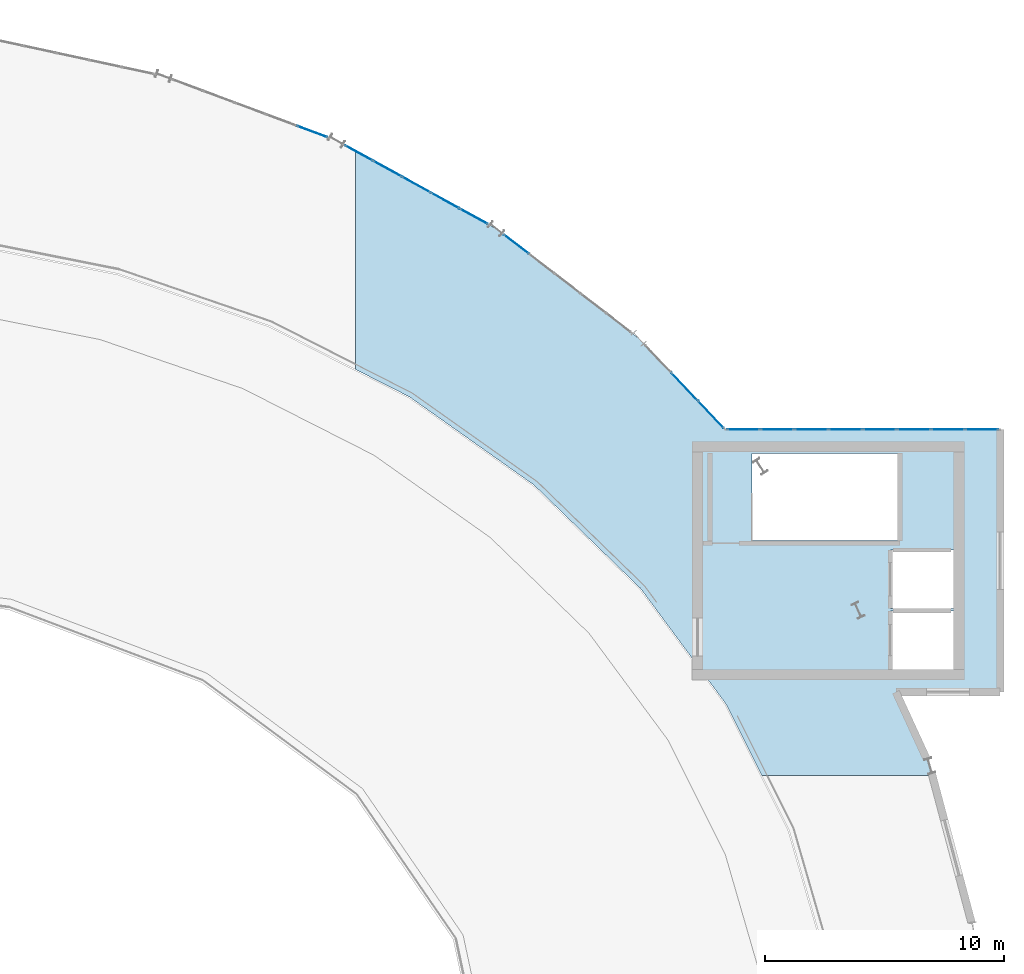
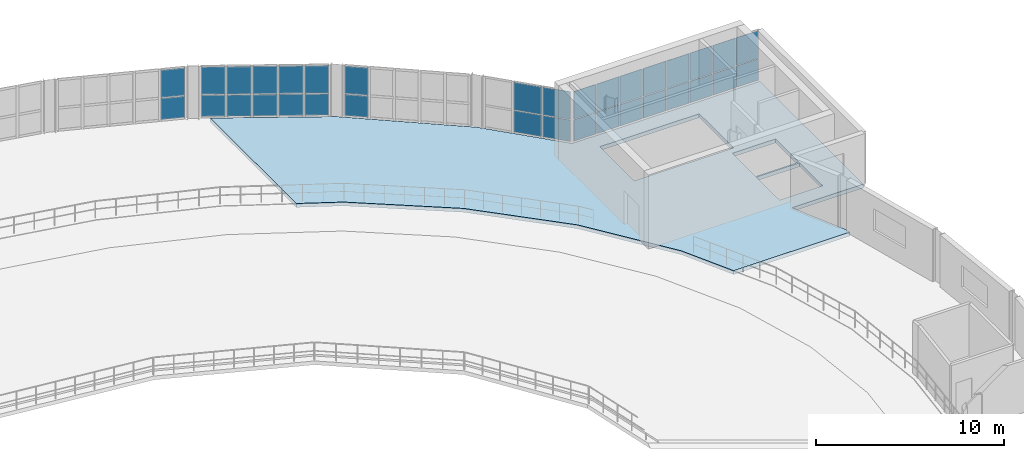
# One storey, part 30 of 40: 34 plates, 1 slab, 5 elements without a shape of their own.
"""IFC4 building model written with IfcOpenShell, lengths in metres."""

from ifc_helpers import new_model, si_unit, direction, frame, origin, origin_2d, place, context, subcontext, project, spatial, polyline, rectangle, outline, extrude, material, layer, layer_set, type_object, element, aggregate, save


model = new_model("IFC4")

# Units and contexts
model_context = context("Model", 3, precision=1e-05, world=origin(), true_north=direction((0.0, 1.0)))
body_context = subcontext(model_context, "Body", "Model", "MODEL_VIEW")
ifc_project = project(units=[si_unit("LENGTHUNIT", "METRE"), si_unit("AREAUNIT", "SQUARE_METRE"), si_unit("VOLUMEUNIT", "CUBIC_METRE"), si_unit("PLANEANGLEUNIT", "RADIAN"), si_unit("MASSUNIT", "GRAM", prefix="KILO")], contexts=[model_context])

# Site, building, storey
site_placement = place(None, origin())
site = spatial("IfcSite", under=ifc_project, at=site_placement, CompositionType="ELEMENT")
building_placement = place(site_placement, origin())
building = spatial("IfcBuilding", under=site, at=building_placement, Name="Glasvene Arena", CompositionType="ELEMENT")
storey_placement = place(building_placement, frame((0.0, 0.0, 24.0)))
storey = spatial("IfcBuildingStorey", under=building, at=storey_placement, Name="L05", CompositionType="ELEMENT", Elevation=24.0)

# Curtain wall, plates
ifc_material_1 = material(Name="Low-emissivity laminated double glazing", Category="glass")
curtain_wall_type_1 = type_object("IfcCurtainWallType", Name="CW-FAC-L05-700x332", PredefinedType="USERDEFINED", material=ifc_material_1)
curtain_wall_1_placement = place(storey_placement, frame((107.794677734375, 115.669189453125, 0.0)))
curtain_wall_1 = element("IfcCurtainWall", 1, at=curtain_wall_1_placement, inside=storey, type_object=curtain_wall_type_1, Name="Unitised curtain wall CW-F-L05-150-1111-1144-21", ObjectType="CURTAIN WALL", PredefinedType="USERDEFINED")
ifc_layer_1 = layer(ifc_material_1, 0.028076171875)
ifc_layer_set_1 = layer_set([ifc_layer_1], Name="Low-emissivity laminated double glazing")
plate_type = type_object("IfcPlateType", Name="CW-GLZ-28", PredefinedType="CURTAIN_PANEL", material=ifc_layer_set_1)
plate_1_placement = place(storey_placement, frame((113.684326171875, 113.473876953125, 0.10986328125), z_axis=(0.0, 0.0, 1.0), x_axis=(0.937012154818, -0.349296753096, 0.0)))
plate_1 = element("IfcPlate", 2, at=plate_1_placement, type_object=plate_type, Name="CW-063 panel 5.1", PredefinedType="CURTAIN_PANEL", context=body_context, shape_type="SweptSolid", body=[
    extrude(rectangle(XDim=1.324462890625, YDim=0.028076171875, at=origin_2d()), origin(), (0.0, 0.0, 1.0), 1.385986328125),
])
plate_2_placement = place(storey_placement, frame((113.684326171875, 113.473876953125, 1.5458984375), z_axis=(0.0, 0.0, 1.0), x_axis=(0.937012154818, -0.349296753096, 0.0)))
plate_2 = element("IfcPlate", 3, at=plate_2_placement, type_object=plate_type, Name="CW-063 panel 5.2", PredefinedType="CURTAIN_PANEL", context=body_context, shape_type="SweptSolid", body=[
    extrude(rectangle(XDim=1.324462890625, YDim=0.028076171875, at=origin_2d()), origin(), (0.0, 0.0, 1.0), 1.783935546875),
])
aggregate(curtain_wall_1, [plate_1, plate_2])

curtain_wall_type_2 = type_object("IfcCurtainWallType", Name="CW-FAC-L05-690x332", PredefinedType="USERDEFINED", material=ifc_material_1)
curtain_wall_2_placement = place(storey_placement, frame((115.02099609375, 112.918212890625, 0.0)))
curtain_wall_2 = element("IfcCurtainWall", 4, at=curtain_wall_2_placement, inside=storey, type_object=curtain_wall_type_2, Name="Unitised curtain wall CW-F-L05-150-1180-1113-22", ObjectType="CURTAIN WALL", PredefinedType="USERDEFINED")
plate_3_placement = place(storey_placement, frame((115.635986328125, 112.578857421875, 0.10986328125), z_axis=(0.0, 0.0, 1.0), x_axis=(0.875654185248, -0.482938658483, 0.0)))
plate_3 = element("IfcPlate", 5, at=plate_3_placement, type_object=plate_type, Name="CW-062 panel 1.1", PredefinedType="CURTAIN_PANEL", context=body_context, shape_type="SweptSolid", body=[
    extrude(rectangle(XDim=1.30517578125, YDim=0.028076171875, at=origin_2d()), origin(), (0.0, 0.0, 1.0), 1.385986328125),
])
plate_4_placement = place(storey_placement, frame((115.635986328125, 112.578857421875, 1.5458984375), z_axis=(0.0, 0.0, 1.0), x_axis=(0.875654185248, -0.482938658483, 0.0)))
plate_4 = element("IfcPlate", 6, at=plate_4_placement, type_object=plate_type, Name="CW-062 panel 1.2", PredefinedType="CURTAIN_PANEL", context=body_context, shape_type="SweptSolid", body=[
    extrude(rectangle(XDim=1.30517578125, YDim=0.028076171875, at=origin_2d()), origin(), (0.0, 0.0, 1.0), 1.783935546875),
])
plate_5_placement = place(storey_placement, frame((116.833740234375, 111.918212890625, 0.10986328125), z_axis=(0.0, 0.0, 1.0), x_axis=(0.875654185248, -0.482938658483, 0.0)))
plate_5 = element("IfcPlate", 7, at=plate_5_placement, type_object=plate_type, Name="CW-062 panel 2.1", PredefinedType="CURTAIN_PANEL", context=body_context, shape_type="SweptSolid", body=[
    extrude(rectangle(XDim=1.330078125, YDim=0.028076171875, at=origin_2d()), origin(), (0.0, 0.0, 1.0), 1.385986328125),
])
plate_6_placement = place(storey_placement, frame((116.833740234375, 111.918212890625, 1.5458984375), z_axis=(0.0, 0.0, 1.0), x_axis=(0.875654185248, -0.482938658483, 0.0)))
plate_6 = element("IfcPlate", 8, at=plate_6_placement, type_object=plate_type, Name="CW-062 panel 2.2", PredefinedType="CURTAIN_PANEL", context=body_context, shape_type="SweptSolid", body=[
    extrude(rectangle(XDim=1.330078125, YDim=0.028076171875, at=origin_2d()), origin(), (0.0, 0.0, 1.0), 1.783935546875),
])
plate_7_placement = place(storey_placement, frame((118.042236328125, 111.251708984375, 0.10986328125), z_axis=(0.0, 0.0, 1.0), x_axis=(0.875654185248, -0.482938658483, 0.0)))
plate_7 = element("IfcPlate", 9, at=plate_7_placement, type_object=plate_type, Name="CW-062 panel 3.1", PredefinedType="CURTAIN_PANEL", context=body_context, shape_type="SweptSolid", body=[
    extrude(rectangle(XDim=1.330078125, YDim=0.028076171875, at=origin_2d()), origin(), (0.0, 0.0, 1.0), 1.385986328125),
])
plate_8_placement = place(storey_placement, frame((118.042236328125, 111.251708984375, 1.5458984375), z_axis=(0.0, 0.0, 1.0), x_axis=(0.875654185248, -0.482938658483, 0.0)))
plate_8 = element("IfcPlate", 10, at=plate_8_placement, type_object=plate_type, Name="CW-062 panel 3.2", PredefinedType="CURTAIN_PANEL", context=body_context, shape_type="SweptSolid", body=[
    extrude(rectangle(XDim=1.330078125, YDim=0.028076171875, at=origin_2d()), origin(), (0.0, 0.0, 1.0), 1.783935546875),
])
plate_9_placement = place(storey_placement, frame((119.250732421875, 110.585205078125, 0.10986328125), z_axis=(0.0, 0.0, 1.0), x_axis=(0.875654185248, -0.482938658483, 0.0)))
plate_9 = element("IfcPlate", 11, at=plate_9_placement, type_object=plate_type, Name="CW-062 panel 4.1", PredefinedType="CURTAIN_PANEL", context=body_context, shape_type="SweptSolid", body=[
    extrude(rectangle(XDim=1.330078125, YDim=0.028076171875, at=origin_2d()), origin(), (0.0, 0.0, 1.0), 1.385986328125),
])
plate_10_placement = place(storey_placement, frame((119.250732421875, 110.585205078125, 1.5458984375), z_axis=(0.0, 0.0, 1.0), x_axis=(0.875654185248, -0.482938658483, 0.0)))
plate_10 = element("IfcPlate", 12, at=plate_10_placement, type_object=plate_type, Name="CW-062 panel 4.2", PredefinedType="CURTAIN_PANEL", context=body_context, shape_type="SweptSolid", body=[
    extrude(rectangle(XDim=1.330078125, YDim=0.028076171875, at=origin_2d()), origin(), (0.0, 0.0, 1.0), 1.783935546875),
])
plate_11_placement = place(storey_placement, frame((120.4482421875, 109.9248046875, 0.10986328125), z_axis=(0.0, 0.0, 1.0), x_axis=(0.875654185248, -0.482938658483, 0.0)))
plate_11 = element("IfcPlate", 13, at=plate_11_placement, type_object=plate_type, Name="CW-062 panel 5.1", PredefinedType="CURTAIN_PANEL", context=body_context, shape_type="SweptSolid", body=[
    extrude(rectangle(XDim=1.30517578125, YDim=0.028076171875, at=origin_2d()), origin(), (0.0, 0.0, 1.0), 1.385986328125),
])
plate_12_placement = place(storey_placement, frame((120.4482421875, 109.9248046875, 1.5458984375), z_axis=(0.0, 0.0, 1.0), x_axis=(0.875654185248, -0.482938658483, 0.0)))
plate_12 = element("IfcPlate", 14, at=plate_12_placement, type_object=plate_type, Name="CW-062 panel 5.2", PredefinedType="CURTAIN_PANEL", context=body_context, shape_type="SweptSolid", body=[
    extrude(rectangle(XDim=1.30517578125, YDim=0.028076171875, at=origin_2d()), origin(), (0.0, 0.0, 1.0), 1.783935546875),
])
aggregate(curtain_wall_2, [plate_3, plate_4, plate_5, plate_6, plate_7, plate_8, plate_9, plate_10, plate_11, plate_12])

curtain_wall_type_3 = type_object("IfcCurtainWallType", Name="CW-FAC-L05-679x332", PredefinedType="USERDEFINED", material=ifc_material_1)
curtain_wall_3_placement = place(storey_placement, frame((121.680419921875, 109.18212890625, 0.0)))
curtain_wall_3 = element("IfcCurtainWall", 15, at=curtain_wall_3_placement, inside=storey, type_object=curtain_wall_type_3, Name="Unitised curtain wall CW-F-L05-150-1244-1071-23", ObjectType="CURTAIN WALL", PredefinedType="USERDEFINED")
plate_13_placement = place(storey_placement, frame((122.228271484375, 108.760986328125, 0.10986328125), z_axis=(0.0, 0.0, 1.0), x_axis=(0.792839799008, -0.609430105187, 0.0)))
plate_13 = element("IfcPlate", 16, at=plate_13_placement, type_object=plate_type, Name="CW-061 panel 1.1", PredefinedType="CURTAIN_PANEL", context=body_context, shape_type="SweptSolid", body=[
    extrude(rectangle(XDim=1.281982421875, YDim=0.028076171875, at=origin_2d()), origin(), (0.0, 0.0, 1.0), 1.385986328125),
])
plate_14_placement = place(storey_placement, frame((122.228271484375, 108.760986328125, 1.5458984375), z_axis=(0.0, 0.0, 1.0), x_axis=(0.792839799008, -0.609430105187, 0.0)))
plate_14 = element("IfcPlate", 17, at=plate_14_placement, type_object=plate_type, Name="CW-061 panel 1.2", PredefinedType="CURTAIN_PANEL", context=body_context, shape_type="SweptSolid", body=[
    extrude(rectangle(XDim=1.281982421875, YDim=0.028076171875, at=origin_2d()), origin(), (0.0, 0.0, 1.0), 1.783935546875),
])
aggregate(curtain_wall_3, [plate_13, plate_14])

curtain_wall_type_4 = type_object("IfcCurtainWallType", Name="CW-FAC-L05-486x332", PredefinedType="USERDEFINED", material=ifc_material_1)
curtain_wall_4_placement = place(storey_placement, frame((127.60791015625, 104.553466796875, 0.0)))
curtain_wall_4 = element("IfcCurtainWall", 18, at=curtain_wall_4_placement, inside=storey, type_object=curtain_wall_type_4, Name="Unitised curtain wall CW-F-L05-150-1293-1028-24", ObjectType="CURTAIN WALL", PredefinedType="USERDEFINED")
plate_15_placement = place(storey_placement, frame((129.2802734375, 102.791259765625, 0.10986328125), z_axis=(0.0, 0.0, 1.0), x_axis=(0.688362630685, -0.725366727026, 0.0)))
plate_15 = element("IfcPlate", 19, at=plate_15_placement, type_object=plate_type, Name="CW-060 panel 2.1", PredefinedType="CURTAIN_PANEL", context=body_context, shape_type="SweptSolid", body=[
    extrude(rectangle(XDim=1.569580078125, YDim=0.028076171875, at=origin_2d()), origin(), (0.0, 0.0, 1.0), 1.385986328125),
])
plate_16_placement = place(storey_placement, frame((129.2802734375, 102.791259765625, 1.5458984375), z_axis=(0.0, 0.0, 1.0), x_axis=(0.688362630685, -0.725366727026, 0.0)))
plate_16 = element("IfcPlate", 20, at=plate_16_placement, type_object=plate_type, Name="CW-060 panel 2.2", PredefinedType="CURTAIN_PANEL", context=body_context, shape_type="SweptSolid", body=[
    extrude(rectangle(XDim=1.569580078125, YDim=0.028076171875, at=origin_2d()), origin(), (0.0, 0.0, 1.0), 1.783935546875),
])
plate_17_placement = place(storey_placement, frame((130.38671875, 101.62548828125, 0.10986328125), z_axis=(0.0, 0.0, 1.0), x_axis=(0.688362630685, -0.725366727026, 0.0)))
plate_17 = element("IfcPlate", 21, at=plate_17_placement, type_object=plate_type, Name="CW-060 panel 3.1", PredefinedType="CURTAIN_PANEL", context=body_context, shape_type="SweptSolid", body=[
    extrude(rectangle(XDim=1.544677734375, YDim=0.028076171875, at=origin_2d()), origin(), (0.0, 0.0, 1.0), 1.385986328125),
])
plate_18_placement = place(storey_placement, frame((130.38671875, 101.62548828125, 1.5458984375), z_axis=(0.0, 0.0, 1.0), x_axis=(0.688362630685, -0.725366727026, 0.0)))
plate_18 = element("IfcPlate", 22, at=plate_18_placement, type_object=plate_type, Name="CW-060 panel 3.2", PredefinedType="CURTAIN_PANEL", context=body_context, shape_type="SweptSolid", body=[
    extrude(rectangle(XDim=1.544677734375, YDim=0.028076171875, at=origin_2d()), origin(), (0.0, 0.0, 1.0), 1.783935546875),
])
aggregate(curtain_wall_4, [plate_15, plate_16, plate_17, plate_18])

curtain_wall_type_5 = type_object("IfcCurtainWallType", Name="CW-FAC-L05-1144x332", PredefinedType="USERDEFINED", material=ifc_material_1)
curtain_wall_5_placement = place(storey_placement, frame((131.020263671875, 101.0, 0.0)))
curtain_wall_5 = element("IfcCurtainWall", 23, at=curtain_wall_5_placement, inside=storey, type_object=curtain_wall_type_5, Name="Unitised curtain wall CW-F-L05-150-1367-1010-25", ObjectType="CURTAIN WALL", PredefinedType="USERDEFINED")
plate_19_placement = place(storey_placement, frame((131.747802734375, 101.0, 0.10986328125), z_axis=(0.0, 0.0, 1.0), x_axis=(1.0, 0.0, 0.0)))
plate_19 = element("IfcPlate", 24, at=plate_19_placement, type_object=plate_type, Name="CW-066 panel 1.1", PredefinedType="CURTAIN_PANEL", context=body_context, shape_type="SweptSolid", body=[
    extrude(rectangle(XDim=1.35498046875, YDim=0.028076171875, at=origin_2d()), origin(), (0.0, 0.0, 1.0), 1.385986328125),
])
plate_20_placement = place(storey_placement, frame((131.747802734375, 101.0, 1.5458984375), z_axis=(0.0, 0.0, 1.0), x_axis=(1.0, 0.0, 0.0)))
plate_20 = element("IfcPlate", 25, at=plate_20_placement, type_object=plate_type, Name="CW-066 panel 1.2", PredefinedType="CURTAIN_PANEL", context=body_context, shape_type="SweptSolid", body=[
    extrude(rectangle(XDim=1.35498046875, YDim=0.028076171875, at=origin_2d()), origin(), (0.0, 0.0, 1.0), 1.783935546875),
])
plate_21_placement = place(storey_placement, frame((133.165283203125, 101.0, 0.10986328125), z_axis=(0.0, 0.0, 1.0), x_axis=(1.0, 0.0, 0.0)))
plate_21 = element("IfcPlate", 26, at=plate_21_placement, type_object=plate_type, Name="CW-066 panel 2.1", PredefinedType="CURTAIN_PANEL", context=body_context, shape_type="SweptSolid", body=[
    extrude(rectangle(XDim=1.3798828125, YDim=0.028076171875, at=origin_2d()), origin(), (0.0, 0.0, 1.0), 1.385986328125),
])
plate_22_placement = place(storey_placement, frame((133.165283203125, 101.0, 1.5458984375), z_axis=(0.0, 0.0, 1.0), x_axis=(1.0, 0.0, 0.0)))
plate_22 = element("IfcPlate", 27, at=plate_22_placement, type_object=plate_type, Name="CW-066 panel 2.2", PredefinedType="CURTAIN_PANEL", context=body_context, shape_type="SweptSolid", body=[
    extrude(rectangle(XDim=1.3798828125, YDim=0.028076171875, at=origin_2d()), origin(), (0.0, 0.0, 1.0), 1.783935546875),
])
plate_23_placement = place(storey_placement, frame((134.59521484375, 101.0, 0.10986328125), z_axis=(0.0, 0.0, 1.0), x_axis=(1.0, 0.0, 0.0)))
plate_23 = element("IfcPlate", 28, at=plate_23_placement, type_object=plate_type, Name="CW-066 panel 3.1", PredefinedType="CURTAIN_PANEL", context=body_context, shape_type="SweptSolid", body=[
    extrude(rectangle(XDim=1.3798828125, YDim=0.028076171875, at=origin_2d()), origin(), (0.0, 0.0, 1.0), 1.385986328125),
])
plate_24_placement = place(storey_placement, frame((134.59521484375, 101.0, 1.5458984375), z_axis=(0.0, 0.0, 1.0), x_axis=(1.0, 0.0, 0.0)))
plate_24 = element("IfcPlate", 29, at=plate_24_placement, type_object=plate_type, Name="CW-066 panel 3.2", PredefinedType="CURTAIN_PANEL", context=body_context, shape_type="SweptSolid", body=[
    extrude(rectangle(XDim=1.3798828125, YDim=0.028076171875, at=origin_2d()), origin(), (0.0, 0.0, 1.0), 1.783935546875),
])
plate_25_placement = place(storey_placement, frame((136.025146484375, 101.0, 0.10986328125), z_axis=(0.0, 0.0, 1.0), x_axis=(1.0, 0.0, 0.0)))
plate_25 = element("IfcPlate", 30, at=plate_25_placement, type_object=plate_type, Name="CW-066 panel 4.1", PredefinedType="CURTAIN_PANEL", context=body_context, shape_type="SweptSolid", body=[
    extrude(rectangle(XDim=1.3798828125, YDim=0.028076171875, at=origin_2d()), origin(), (0.0, 0.0, 1.0), 1.385986328125),
])
plate_26_placement = place(storey_placement, frame((136.025146484375, 101.0, 1.5458984375), z_axis=(0.0, 0.0, 1.0), x_axis=(1.0, 0.0, 0.0)))
plate_26 = element("IfcPlate", 31, at=plate_26_placement, type_object=plate_type, Name="CW-066 panel 4.2", PredefinedType="CURTAIN_PANEL", context=body_context, shape_type="SweptSolid", body=[
    extrude(rectangle(XDim=1.3798828125, YDim=0.028076171875, at=origin_2d()), origin(), (0.0, 0.0, 1.0), 1.783935546875),
])
plate_27_placement = place(storey_placement, frame((137.455078125, 101.0, 0.10986328125), z_axis=(0.0, 0.0, 1.0), x_axis=(1.0, 0.0, 0.0)))
plate_27 = element("IfcPlate", 32, at=plate_27_placement, type_object=plate_type, Name="CW-066 panel 5.1", PredefinedType="CURTAIN_PANEL", context=body_context, shape_type="SweptSolid", body=[
    extrude(rectangle(XDim=1.3798828125, YDim=0.028076171875, at=origin_2d()), origin(), (0.0, 0.0, 1.0), 1.385986328125),
])
plate_28_placement = place(storey_placement, frame((137.455078125, 101.0, 1.5458984375), z_axis=(0.0, 0.0, 1.0), x_axis=(1.0, 0.0, 0.0)))
plate_28 = element("IfcPlate", 33, at=plate_28_placement, type_object=plate_type, Name="CW-066 panel 5.2", PredefinedType="CURTAIN_PANEL", context=body_context, shape_type="SweptSolid", body=[
    extrude(rectangle(XDim=1.3798828125, YDim=0.028076171875, at=origin_2d()), origin(), (0.0, 0.0, 1.0), 1.783935546875),
])
plate_29_placement = place(storey_placement, frame((138.885009765625, 101.0, 0.10986328125), z_axis=(0.0, 0.0, 1.0), x_axis=(1.0, 0.0, 0.0)))
plate_29 = element("IfcPlate", 34, at=plate_29_placement, type_object=plate_type, Name="CW-066 panel 6.1", PredefinedType="CURTAIN_PANEL", context=body_context, shape_type="SweptSolid", body=[
    extrude(rectangle(XDim=1.3798828125, YDim=0.028076171875, at=origin_2d()), origin(), (0.0, 0.0, 1.0), 1.385986328125),
])
plate_30_placement = place(storey_placement, frame((138.885009765625, 101.0, 1.5458984375), z_axis=(0.0, 0.0, 1.0), x_axis=(1.0, 0.0, 0.0)))
plate_30 = element("IfcPlate", 35, at=plate_30_placement, type_object=plate_type, Name="CW-066 panel 6.2", PredefinedType="CURTAIN_PANEL", context=body_context, shape_type="SweptSolid", body=[
    extrude(rectangle(XDim=1.3798828125, YDim=0.028076171875, at=origin_2d()), origin(), (0.0, 0.0, 1.0), 1.783935546875),
])
plate_31_placement = place(storey_placement, frame((140.31494140625, 101.0, 0.10986328125), z_axis=(0.0, 0.0, 1.0), x_axis=(1.0, 0.0, 0.0)))
plate_31 = element("IfcPlate", 36, at=plate_31_placement, type_object=plate_type, Name="CW-066 panel 7.1", PredefinedType="CURTAIN_PANEL", context=body_context, shape_type="SweptSolid", body=[
    extrude(rectangle(XDim=1.3798828125, YDim=0.028076171875, at=origin_2d()), origin(), (0.0, 0.0, 1.0), 1.385986328125),
])
plate_32_placement = place(storey_placement, frame((140.31494140625, 101.0, 1.5458984375), z_axis=(0.0, 0.0, 1.0), x_axis=(1.0, 0.0, 0.0)))
plate_32 = element("IfcPlate", 37, at=plate_32_placement, type_object=plate_type, Name="CW-066 panel 7.2", PredefinedType="CURTAIN_PANEL", context=body_context, shape_type="SweptSolid", body=[
    extrude(rectangle(XDim=1.3798828125, YDim=0.028076171875, at=origin_2d()), origin(), (0.0, 0.0, 1.0), 1.783935546875),
])
plate_33_placement = place(storey_placement, frame((141.732421875, 101.0, 0.10986328125), z_axis=(0.0, 0.0, 1.0), x_axis=(1.0, 0.0, 0.0)))
plate_33 = element("IfcPlate", 38, at=plate_33_placement, type_object=plate_type, Name="CW-066 panel 8.1", PredefinedType="CURTAIN_PANEL", context=body_context, shape_type="SweptSolid", body=[
    extrude(rectangle(XDim=1.35498046875, YDim=0.028076171875, at=origin_2d()), origin(), (0.0, 0.0, 1.0), 1.385986328125),
])
plate_34_placement = place(storey_placement, frame((141.732421875, 101.0, 1.5458984375), z_axis=(0.0, 0.0, 1.0), x_axis=(1.0, 0.0, 0.0)))
plate_34 = element("IfcPlate", 39, at=plate_34_placement, type_object=plate_type, Name="CW-066 panel 8.2", PredefinedType="CURTAIN_PANEL", context=body_context, shape_type="SweptSolid", body=[
    extrude(rectangle(XDim=1.35498046875, YDim=0.028076171875, at=origin_2d()), origin(), (0.0, 0.0, 1.0), 1.783935546875),
])
aggregate(curtain_wall_5, [plate_19, plate_20, plate_21, plate_22, plate_23, plate_24, plate_25, plate_26, plate_27, plate_28, plate_29, plate_30, plate_31, plate_32, plate_33, plate_34])

# Slab
ifc_material_2 = material(Name="Concrete C40/50", Category="concrete")
ifc_layer_2 = layer(ifc_material_2, 0.25)
ifc_layer_set_2 = layer_set([ifc_layer_2], Name="Concrete C40/50")
slab_type = type_object("IfcSlabType", Name="SL-UPPER-250", PredefinedType="FLOOR", material=ifc_layer_set_2)
slab_placement = place(storey_placement, frame((129.650634765625, 97.14306640625, -0.25)))
element("IfcSlab", 40, at=slab_placement, inside=storey, type_object=slab_type, Name="Structural floor slab L05 sector 4-5 (127)", PredefinedType="FLOOR", context=body_context, shape_type="SweptSolid", body=[
    extrude(outline(polyline([(-2.29541015625, 7.6767578125), (1.32958984375, 3.85693359375), (12.849365234375, 3.85693359375), (12.849365234375, -7.14306640625), (8.47802734375, -7.14306640625), (9.902099609375, -10.2373046875), (10.01025390625, -10.64306640625), (2.86474609375, -10.64306640625), (1.37548828125, -7.6630859375), (-2.2158203125, -2.806396484375), (-6.679443359375, 1.52490234375), (-11.905517578125, 5.22412109375), (-14.150634765625, 6.364501953125), (-14.150634765625, 15.5107421875), (-8.26123046875, 12.2626953125), (-2.29541015625, 7.6767578125)]), holes=[polyline([(10.8994140625, -3.7431640625), (8.249267578125, -3.7431640625), (8.249267578125, -6.193115234375), (10.8994140625, -6.193115234375), (10.8994140625, -3.7431640625)]), polyline([(10.8994140625, -1.193115234375), (8.249267578125, -1.193115234375), (8.249267578125, -3.64306640625), (10.8994140625, -3.64306640625), (10.8994140625, -1.193115234375)]), polyline([(8.54931640625, 2.85693359375), (2.451416015625, 2.85693359375), (2.451416015625, -0.79296875), (8.54931640625, -0.79296875), (8.54931640625, 2.85693359375)])]), origin(), (0.0, 0.0, 1.0), 0.25),
])

save(model, "model.ifc")
